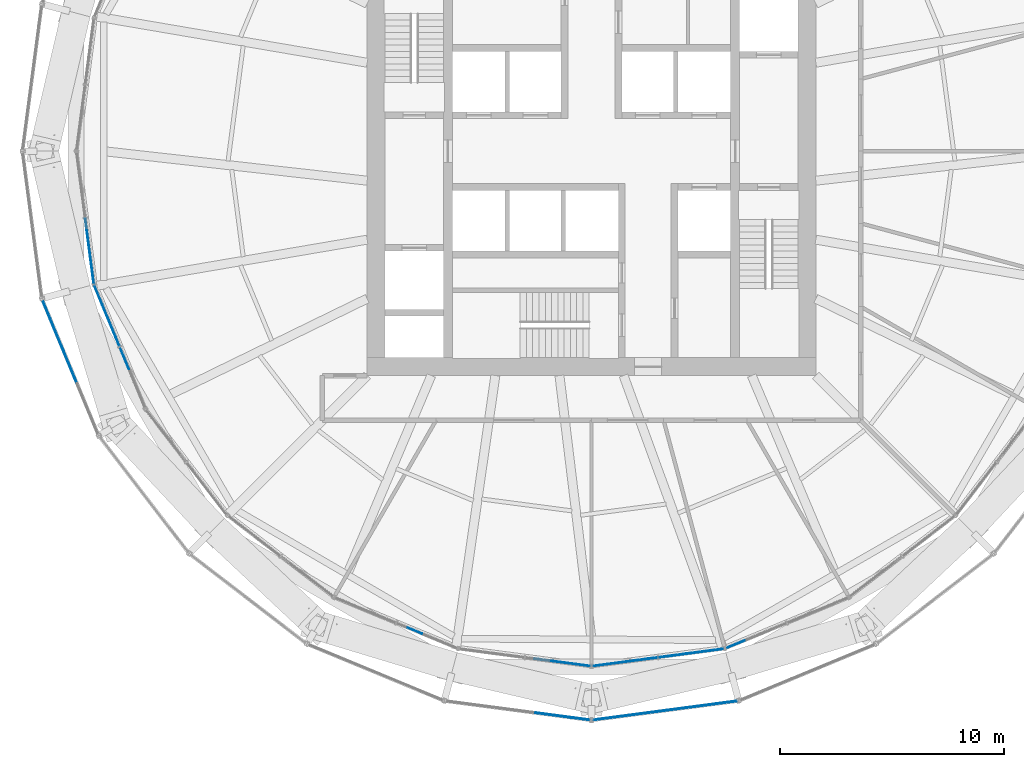
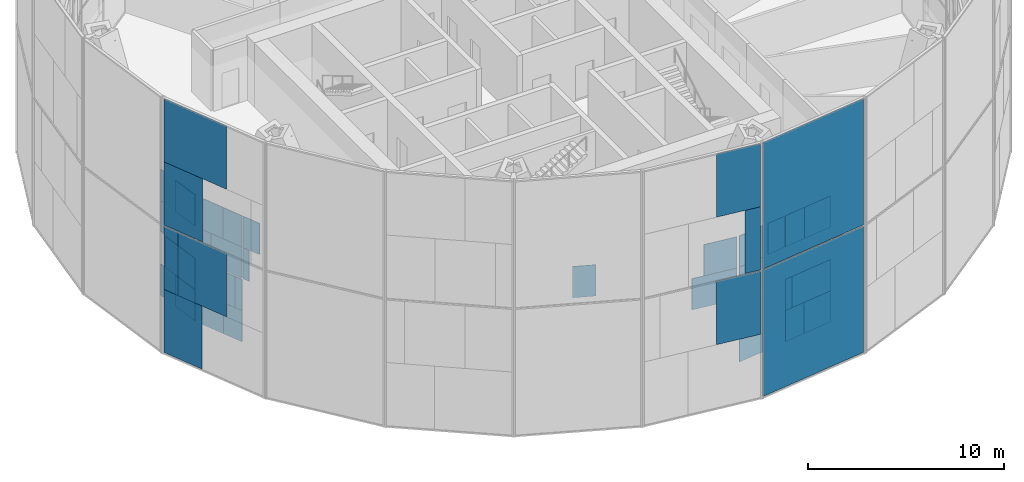
# One storey, part 11 of 22: 44 plates, 9 elements without a shape of their own.
"""IFC4 building model written with IfcOpenShell, lengths in metres."""

from ifc_helpers import new_model, si_unit, direction, frame, origin, origin_2d, place, context, subcontext, project, spatial, rectangle, extrude, material, layer, layer_set, type_object, element, aggregate, save


model = new_model("IFC4")

# Units and contexts
model_context = context("Model", 3, precision=1e-05, world=origin(), true_north=direction((0.0, 1.0)))
body_context = subcontext(model_context, "Body", "Model", "MODEL_VIEW")
ifc_project = project(units=[si_unit("LENGTHUNIT", "METRE"), si_unit("AREAUNIT", "SQUARE_METRE"), si_unit("VOLUMEUNIT", "CUBIC_METRE"), si_unit("PLANEANGLEUNIT", "RADIAN"), si_unit("MASSUNIT", "GRAM", prefix="KILO")], contexts=[model_context])

# Site, building, storey
site_placement = place(None, origin())
site = spatial("IfcSite", under=ifc_project, at=site_placement, CompositionType="ELEMENT")
building_placement = place(site_placement, origin())
building = spatial("IfcBuilding", under=site, at=building_placement, Name="Golbaran Civic Tower", CompositionType="ELEMENT")
storey_placement = place(building_placement, frame((0.0, 0.0, 37.0)))
storey = spatial("IfcBuildingStorey", under=building, at=storey_placement, Name="L08", CompositionType="ELEMENT", Elevation=37.0)

# Curtain wall, plates
ifc_material_1 = material(Name="Aluminium and glass", Category="aluminium")
curtain_wall_type_1 = type_object("IfcCurtainWallType", Name="INNER SKIN CURTAIN WALL", PredefinedType="NOTDEFINED", material=ifc_material_1)
curtain_wall_1_placement = place(storey_placement, origin())
curtain_wall_1 = element("IfcCurtainWall", 1, at=curtain_wall_1_placement, inside=storey, type_object=curtain_wall_type_1, Name="Inner skin L08 facet 13 CW1", ObjectType="INNER SKIN", PredefinedType="USERDEFINED")
ifc_material_2 = material(Name="Clear insulating glass", Category="glass")
ifc_layer_1 = layer(ifc_material_2, 0.031982421875, Name="Clear insulating glass")
ifc_layer_set_1 = layer_set([ifc_layer_1], Name="Clear insulating glass")
plate_type_1 = type_object("IfcPlateType", Name="INNER SKIN CURTAIN WALL GLAZED PANEL", PredefinedType="CURTAIN_PANEL", material=ifc_layer_set_1)
plate_1_placement = place(storey_placement, frame((-22.4873046875, -3.598388671875, 0.06494140625), z_axis=(0.0, 0.0, 1.0), x_axis=(0.130526192289, -0.991444861365, 0.0)))
plate_1 = element("IfcPlate", 2, at=plate_1_placement, type_object=plate_type_1, Name="CW1 panel 2.1 part 1", PredefinedType="CURTAIN_PANEL", context=body_context, shape_type="SweptSolid", body=[
    extrude(rectangle(XDim=1.199951171875, YDim=0.031982421875, at=origin_2d()), origin(), (0.0, 0.0, 1.0), 1.951171875),
])
plate_2_placement = place(storey_placement, frame((-22.245849609375, -5.432373046875, 4.032470703125), z_axis=(0.0, 0.0, 1.0), x_axis=(0.130526192289, -0.991444861365, 0.0)))
plate_2 = element("IfcPlate", 3, at=plate_2_placement, type_object=plate_type_1, Name="CW1 panel 2.2 part 2", PredefinedType="CURTAIN_PANEL", context=body_context, shape_type="SweptSolid", body=[
    extrude(rectangle(XDim=0.8994140625, YDim=0.031982421875, at=origin_2d()), origin(), (0.0, 0.0, 1.0), 1.951171875),
])
plate_3_placement = place(storey_placement, frame((-22.29638671875, -5.048095703125, 5.98388671875), z_axis=(0.0, 0.0, 1.0), x_axis=(0.130526192289, -0.991444861365, 0.0)))
plate_3 = element("IfcPlate", 4, at=plate_3_placement, type_object=plate_type_1, Name="CW1 panel 2.2 part 4", PredefinedType="CURTAIN_PANEL", context=body_context, shape_type="SweptSolid", body=[
    extrude(rectangle(XDim=1.674560546875, YDim=0.031982421875, at=origin_2d()), origin(), (0.0, 0.0, 1.0), 1.951171875),
])

curtain_wall_2_placement = place(storey_placement, origin())
curtain_wall_2 = element("IfcCurtainWall", 5, at=curtain_wall_2_placement, inside=storey, type_object=curtain_wall_type_1, Name="Inner skin L08 facet 14 CW1", ObjectType="INNER SKIN", PredefinedType="USERDEFINED")
plate_4_placement = place(storey_placement, frame((-21.273681640625, -8.12744140625, 0.06494140625), z_axis=(0.0, 0.0, 1.0), x_axis=(0.382683432365, -0.923879532511, 0.0)))
plate_4 = element("IfcPlate", 6, at=plate_4_placement, type_object=plate_type_1, Name="CW1 panel 1.1 part 2", PredefinedType="CURTAIN_PANEL", context=body_context, shape_type="SweptSolid", body=[
    extrude(rectangle(XDim=1.199462890625, YDim=0.031982421875, at=origin_2d()), origin(), (0.0, 0.0, 1.0), 1.951171875),
])
plate_5_placement = place(storey_placement, frame((-21.126953125, -8.481689453125, 2.016357421875), z_axis=(0.0, 0.0, 1.0), x_axis=(0.382683432365, -0.923879532511, 0.0)))
plate_5 = element("IfcPlate", 7, at=plate_5_placement, type_object=plate_type_1, Name="CW1 panel 1.1 part 4", PredefinedType="CURTAIN_PANEL", context=body_context, shape_type="SweptSolid", body=[
    extrude(rectangle(XDim=0.4326171875, YDim=0.031982421875, at=origin_2d()), origin(), (0.0, 0.0, 1.0), 1.951171875),
])
plate_6_placement = place(storey_placement, frame((-21.9814453125, -6.41845703125, 4.032470703125), z_axis=(0.0, 0.0, 1.0), x_axis=(0.382683432365, -0.923879532511, 0.0)))
plate_6 = element("IfcPlate", 8, at=plate_6_placement, type_object=plate_type_1, Name="CW1 panel 1.2 part 1", PredefinedType="CURTAIN_PANEL", context=body_context, shape_type="SweptSolid", body=[
    extrude(rectangle(XDim=0.89990234375, YDim=0.031982421875, at=origin_2d()), origin(), (0.0, 0.0, 1.0), 1.951171875),
])
plate_7_placement = place(storey_placement, frame((-21.833251953125, -6.776611328125, 5.98388671875), z_axis=(0.0, 0.0, 1.0), x_axis=(0.382683432365, -0.923879532511, 0.0)))
plate_7 = element("IfcPlate", 9, at=plate_7_placement, type_object=plate_type_1, Name="CW1 panel 1.2 part 3", PredefinedType="CURTAIN_PANEL", context=body_context, shape_type="SweptSolid", body=[
    extrude(rectangle(XDim=1.675048828125, YDim=0.031982421875, at=origin_2d()), origin(), (0.0, 0.0, 1.0), 1.951171875),
])

curtain_wall_3_placement = place(storey_placement, origin())
curtain_wall_3 = element("IfcCurtainWall", 10, at=curtain_wall_3_placement, inside=storey, type_object=curtain_wall_type_1, Name="Inner skin L08 facet 18 CW1", ObjectType="INNER SKIN", PredefinedType="USERDEFINED")
plate_8_placement = place(storey_placement, frame((-1.302978515625, -22.78955078125, 4.032470703125), z_axis=(0.0, 0.0, 1.0), x_axis=(0.991444861365, -0.130526192289, 0.0)))
plate_8 = element("IfcPlate", 11, at=plate_8_placement, type_object=plate_type_1, Name="CW1 panel 2.2 part 2", PredefinedType="CURTAIN_PANEL", context=body_context, shape_type="SweptSolid", body=[
    extrude(rectangle(XDim=2.49853515625, YDim=0.031982421875, at=origin_2d()), origin(), (0.0, 0.0, 1.0), 1.951171875),
])
plate_9_placement = place(storey_placement, frame((-0.974853515625, -22.832763671875, 5.98388671875), z_axis=(0.0, 0.0, 1.0), x_axis=(0.991444861365, -0.130526192289, 0.0)))
plate_9 = element("IfcPlate", 12, at=plate_9_placement, type_object=plate_type_1, Name="CW1 panel 2.2 part 4", PredefinedType="CURTAIN_PANEL", context=body_context, shape_type="SweptSolid", body=[
    extrude(rectangle(XDim=1.83642578125, YDim=0.031982421875, at=origin_2d()), origin(), (0.0, 0.0, 1.0), 1.951171875),
])
aggregate(curtain_wall_3, [plate_8, plate_9])

curtain_wall_4_placement = place(storey_placement, origin())
curtain_wall_4 = element("IfcCurtainWall", 13, at=curtain_wall_4_placement, inside=storey, type_object=curtain_wall_type_1, Name="Inner skin L08 facet 19 CW1", ObjectType="INNER SKIN", PredefinedType="USERDEFINED")
plate_10_placement = place(storey_placement, frame((1.501708984375, -22.76318359375, 0.06494140625), z_axis=(0.0, 0.0, 1.0), x_axis=(0.991444861365, 0.130526192289, 0.0)))
plate_10 = element("IfcPlate", 14, at=plate_10_placement, type_object=plate_type_1, Name="CW1 panel 1.1", PredefinedType="CURTAIN_PANEL", context=body_context, shape_type="SweptSolid", body=[
    extrude(rectangle(XDim=2.8994140625, YDim=0.031982421875, at=origin_2d()), origin(), (0.0, 0.0, 1.0), 3.902587890625),
])
plate_11_placement = place(storey_placement, frame((1.302734375, -22.78955078125, 4.032470703125), z_axis=(0.0, 0.0, 1.0), x_axis=(0.991444861365, 0.130526192289, 0.0)))
plate_11 = element("IfcPlate", 15, at=plate_11_placement, type_object=plate_type_1, Name="CW1 panel 1.2 part 1", PredefinedType="CURTAIN_PANEL", context=body_context, shape_type="SweptSolid", body=[
    extrude(rectangle(XDim=2.498046875, YDim=0.031982421875, at=origin_2d()), origin(), (0.0, 0.0, 1.0), 1.951171875),
])
plate_12_placement = place(storey_placement, frame((0.97509765625, -22.83251953125, 5.98388671875), z_axis=(0.0, 0.0, 1.0), x_axis=(0.991444861365, 0.130526192289, 0.0)))
plate_12 = element("IfcPlate", 16, at=plate_12_placement, type_object=plate_type_1, Name="CW1 panel 1.2 part 3", PredefinedType="CURTAIN_PANEL", context=body_context, shape_type="SweptSolid", body=[
    extrude(rectangle(XDim=1.8369140625, YDim=0.031982421875, at=origin_2d()), origin(), (0.0, 0.0, 1.0), 1.951171875),
])
plate_13_placement = place(storey_placement, frame((3.598388671875, -22.4873046875, 0.06494140625), z_axis=(0.0, 0.0, 1.0), x_axis=(0.991444861365, 0.130526192289, 0.0)))
plate_13 = element("IfcPlate", 17, at=plate_13_placement, type_object=plate_type_1, Name="CW1 panel 2.1 part 1", PredefinedType="CURTAIN_PANEL", context=body_context, shape_type="SweptSolid", body=[
    extrude(rectangle(XDim=1.199951171875, YDim=0.031982421875, at=origin_2d()), origin(), (0.0, 0.0, 1.0), 1.951171875),
])
plate_14_placement = place(storey_placement, frame((3.2177734375, -22.537353515625, 2.016357421875), z_axis=(0.0, 0.0, 1.0), x_axis=(0.991444861365, 0.130526192289, 0.0)))
plate_14 = element("IfcPlate", 18, at=plate_14_placement, type_object=plate_type_1, Name="CW1 panel 2.1 part 3", PredefinedType="CURTAIN_PANEL", context=body_context, shape_type="SweptSolid", body=[
    extrude(rectangle(XDim=0.431884765625, YDim=0.031982421875, at=origin_2d()), origin(), (0.0, 0.0, 1.0), 1.951171875),
])
plate_15_placement = place(storey_placement, frame((5.432373046875, -22.245849609375, 4.032470703125), z_axis=(0.0, 0.0, 1.0), x_axis=(0.991444861365, 0.130526192289, 0.0)))
plate_15 = element("IfcPlate", 19, at=plate_15_placement, type_object=plate_type_1, Name="CW1 panel 2.2 part 2", PredefinedType="CURTAIN_PANEL", context=body_context, shape_type="SweptSolid", body=[
    extrude(rectangle(XDim=0.8994140625, YDim=0.031982421875, at=origin_2d()), origin(), (0.0, 0.0, 1.0), 1.951171875),
])
plate_16_placement = place(storey_placement, frame((5.048095703125, -22.29638671875, 5.98388671875), z_axis=(0.0, 0.0, 1.0), x_axis=(0.991444861365, 0.130526192289, 0.0)))
plate_16 = element("IfcPlate", 20, at=plate_16_placement, type_object=plate_type_1, Name="CW1 panel 2.2 part 4", PredefinedType="CURTAIN_PANEL", context=body_context, shape_type="SweptSolid", body=[
    extrude(rectangle(XDim=1.674560546875, YDim=0.031982421875, at=origin_2d()), origin(), (0.0, 0.0, 1.0), 1.951171875),
])

# Curtain wall, plate
curtain_wall_5_placement = place(storey_placement, origin())
curtain_wall_5 = element("IfcCurtainWall", 21, at=curtain_wall_5_placement, inside=storey, type_object=curtain_wall_type_1, Name="Inner skin L08 facet 20 CW1", ObjectType="INNER SKIN", PredefinedType="USERDEFINED")
plate_17_placement = place(storey_placement, frame((6.41845703125, -21.9814453125, 4.032470703125), z_axis=(0.0, 0.0, 1.0), x_axis=(0.923879532511, 0.382683432365, 0.0)))
plate_17 = element("IfcPlate", 22, at=plate_17_placement, type_object=plate_type_1, Name="CW1 panel 1.2 part 1", PredefinedType="CURTAIN_PANEL", context=body_context, shape_type="SweptSolid", body=[
    extrude(rectangle(XDim=0.89990234375, YDim=0.031982421875, at=origin_2d()), origin(), (0.0, 0.0, 1.0), 1.951171875),
])
aggregate(curtain_wall_5, [plate_17])

# Plate
ifc_material_3 = material(Name="Aluminium faced opaque infill panel", Category="aluminium")
ifc_layer_2 = layer(ifc_material_3, 0.031982421875, Name="Aluminium faced opaque infill panel")
ifc_layer_set_2 = layer_set([ifc_layer_2], Name="Aluminium faced opaque infill panel")
plate_type_2 = type_object("IfcPlateType", Name="INNER SKIN CURTAIN WALL OPAQUE INFILL PANEL", PredefinedType="CURTAIN_PANEL", material=ifc_layer_set_2)
plate_18_placement = place(storey_placement, frame((-22.298095703125, -5.035888671875, 0.06494140625), z_axis=(0.0, 0.0, 1.0), x_axis=(0.130526192289, -0.991444861365, 0.0)))
plate_18 = element("IfcPlate", 23, at=plate_18_placement, type_object=plate_type_2, Name="CW1 infill panel 2.1 part 2", PredefinedType="CURTAIN_PANEL", context=body_context, shape_type="SweptSolid", body=[
    extrude(rectangle(XDim=1.699462890625, YDim=0.031982421875, at=origin_2d()), origin(), (0.0, 0.0, 1.0), 1.951171875),
])

plate_19_placement = place(storey_placement, frame((-22.34814453125, -4.655029296875, 2.016357421875), z_axis=(0.0, 0.0, 1.0), x_axis=(0.130526192289, -0.991444861365, 0.0)))
plate_19 = element("IfcPlate", 24, at=plate_19_placement, type_object=plate_type_2, Name="CW1 infill panel 2.1 part 4", PredefinedType="CURTAIN_PANEL", context=body_context, shape_type="SweptSolid", body=[
    extrude(rectangle(XDim=2.467529296875, YDim=0.031982421875, at=origin_2d()), origin(), (0.0, 0.0, 1.0), 1.951171875),
])

plate_20_placement = place(storey_placement, frame((-22.43505859375, -3.9951171875, 4.032470703125), z_axis=(0.0, 0.0, 1.0), x_axis=(0.130526192289, -0.991444861365, 0.0)))
plate_20 = element("IfcPlate", 25, at=plate_20_placement, type_object=plate_type_2, Name="CW1 infill panel 2.2 part 1", PredefinedType="CURTAIN_PANEL", context=body_context, shape_type="SweptSolid", body=[
    extrude(rectangle(XDim=2.0, YDim=0.031982421875, at=origin_2d()), origin(), (0.0, 0.0, 1.0), 1.951171875),
])

plate_21_placement = place(storey_placement, frame((-22.485595703125, -3.61083984375, 5.98388671875), z_axis=(0.0, 0.0, 1.0), x_axis=(0.130526192289, -0.991444861365, 0.0)))
plate_21 = element("IfcPlate", 26, at=plate_21_placement, type_object=plate_type_2, Name="CW1 infill panel 2.2 part 3", PredefinedType="CURTAIN_PANEL", context=body_context, shape_type="SweptSolid", body=[
    extrude(rectangle(XDim=1.22509765625, YDim=0.031982421875, at=origin_2d()), origin(), (0.0, 0.0, 1.0), 1.951171875),
])

aggregate(curtain_wall_1, [plate_1, plate_18, plate_19, plate_20, plate_2, plate_21, plate_3])

plate_22_placement = place(storey_placement, frame((-21.828369140625, -6.7880859375, 0.06494140625), z_axis=(0.0, 0.0, 1.0), x_axis=(0.382683432365, -0.923879532511, 0.0)))
plate_22 = element("IfcPlate", 27, at=plate_22_placement, type_object=plate_type_2, Name="CW1 infill panel 1.1 part 1", PredefinedType="CURTAIN_PANEL", context=body_context, shape_type="SweptSolid", body=[
    extrude(rectangle(XDim=1.699951171875, YDim=0.031982421875, at=origin_2d()), origin(), (0.0, 0.0, 1.0), 1.951171875),
])

plate_23_placement = place(storey_placement, frame((-21.681640625, -7.142333984375, 2.016357421875), z_axis=(0.0, 0.0, 1.0), x_axis=(0.382683432365, -0.923879532511, 0.0)))
plate_23 = element("IfcPlate", 28, at=plate_23_placement, type_object=plate_type_2, Name="CW1 infill panel 1.1 part 3", PredefinedType="CURTAIN_PANEL", context=body_context, shape_type="SweptSolid", body=[
    extrude(rectangle(XDim=2.467041015625, YDim=0.031982421875, at=origin_2d()), origin(), (0.0, 0.0, 1.0), 1.951171875),
])

plate_24_placement = place(storey_placement, frame((-21.4267578125, -7.758056640625, 4.032470703125), z_axis=(0.0, 0.0, 1.0), x_axis=(0.382683432365, -0.923879532511, 0.0)))
plate_24 = element("IfcPlate", 29, at=plate_24_placement, type_object=plate_type_2, Name="CW1 infill panel 1.2 part 2", PredefinedType="CURTAIN_PANEL", context=body_context, shape_type="SweptSolid", body=[
    extrude(rectangle(XDim=1.99951171875, YDim=0.031982421875, at=origin_2d()), origin(), (0.0, 0.0, 1.0), 1.951171875),
])

plate_25_placement = place(storey_placement, frame((-21.278564453125, -8.115966796875, 5.98388671875), z_axis=(0.0, 0.0, 1.0), x_axis=(0.382683432365, -0.923879532511, 0.0)))
plate_25 = element("IfcPlate", 30, at=plate_25_placement, type_object=plate_type_2, Name="CW1 infill panel 1.2 part 4", PredefinedType="CURTAIN_PANEL", context=body_context, shape_type="SweptSolid", body=[
    extrude(rectangle(XDim=1.224609375, YDim=0.031982421875, at=origin_2d()), origin(), (0.0, 0.0, 1.0), 1.951171875),
])

plate_26_placement = place(storey_placement, frame((-20.942626953125, -8.927001953125, 4.032470703125), z_axis=(0.0, 0.0, 1.0), x_axis=(0.382683432365, -0.923879532511, 0.0)))
plate_26 = element("IfcPlate", 31, at=plate_26_placement, type_object=plate_type_2, Name="CW1 infill panel 2.2 part 1", PredefinedType="CURTAIN_PANEL", context=body_context, shape_type="SweptSolid", body=[
    extrude(rectangle(XDim=0.40087890625, YDim=0.031982421875, at=origin_2d()), origin(), (0.0, 0.0, 1.0), 1.951171875),
])

plate_27_placement = place(storey_placement, frame((-20.81591796875, -9.232666015625, 5.98388671875), z_axis=(0.0, 0.0, 1.0), x_axis=(0.382683432365, -0.923879532511, 0.0)))
plate_27 = element("IfcPlate", 32, at=plate_27_placement, type_object=plate_type_2, Name="CW1 infill panel 2.2 part 3", PredefinedType="CURTAIN_PANEL", context=body_context, shape_type="SweptSolid", body=[
    extrude(rectangle(XDim=1.06298828125, YDim=0.031982421875, at=origin_2d()), origin(), (0.0, 0.0, 1.0), 1.951171875),
])

aggregate(curtain_wall_2, [plate_22, plate_4, plate_23, plate_5, plate_6, plate_24, plate_7, plate_25, plate_26, plate_27])

# Curtain wall, plate
curtain_wall_6_placement = place(storey_placement, origin())
curtain_wall_6 = element("IfcCurtainWall", 33, at=curtain_wall_6_placement, inside=storey, type_object=curtain_wall_type_1, Name="Inner skin L08 facet 17 CW1", ObjectType="INNER SKIN", PredefinedType="USERDEFINED")
plate_28_placement = place(storey_placement, frame((-8.11572265625, -21.278564453125, 5.98388671875), z_axis=(0.0, 0.0, 1.0), x_axis=(0.923879532511, -0.382683432365, 0.0)))
plate_28 = element("IfcPlate", 34, at=plate_28_placement, type_object=plate_type_2, Name="CW1 infill panel 2.2 part 3", PredefinedType="CURTAIN_PANEL", context=body_context, shape_type="SweptSolid", body=[
    extrude(rectangle(XDim=1.22509765625, YDim=0.031982421875, at=origin_2d()), origin(), (0.0, 0.0, 1.0), 1.951171875),
])
aggregate(curtain_wall_6, [plate_28])

# Plate
plate_29_placement = place(storey_placement, frame((2.739990234375, -22.600341796875, 4.032470703125), z_axis=(0.0, 0.0, 1.0), x_axis=(0.991444861365, 0.130526192289, 0.0)))
plate_29 = element("IfcPlate", 35, at=plate_29_placement, type_object=plate_type_2, Name="CW1 infill panel 1.2 part 2", PredefinedType="CURTAIN_PANEL", context=body_context, shape_type="SweptSolid", body=[
    extrude(rectangle(XDim=0.401611328125, YDim=0.031982421875, at=origin_2d()), origin(), (0.0, 0.0, 1.0), 1.951171875),
])

plate_30_placement = place(storey_placement, frame((2.412353515625, -22.643310546875, 5.98388671875), z_axis=(0.0, 0.0, 1.0), x_axis=(0.991444861365, 0.130526192289, 0.0)))
plate_30 = element("IfcPlate", 36, at=plate_30_placement, type_object=plate_type_2, Name="CW1 infill panel 1.2 part 4", PredefinedType="CURTAIN_PANEL", context=body_context, shape_type="SweptSolid", body=[
    extrude(rectangle(XDim=1.0625, YDim=0.031982421875, at=origin_2d()), origin(), (0.0, 0.0, 1.0), 1.951171875),
])

plate_31_placement = place(storey_placement, frame((5.035888671875, -22.298095703125, 0.06494140625), z_axis=(0.0, 0.0, 1.0), x_axis=(0.991444861365, 0.130526192289, 0.0)))
plate_31 = element("IfcPlate", 37, at=plate_31_placement, type_object=plate_type_2, Name="CW1 infill panel 2.1 part 2", PredefinedType="CURTAIN_PANEL", context=body_context, shape_type="SweptSolid", body=[
    extrude(rectangle(XDim=1.699462890625, YDim=0.031982421875, at=origin_2d()), origin(), (0.0, 0.0, 1.0), 1.951171875),
])

plate_32_placement = place(storey_placement, frame((4.655029296875, -22.34814453125, 2.016357421875), z_axis=(0.0, 0.0, 1.0), x_axis=(0.991444861365, 0.130526192289, 0.0)))
plate_32 = element("IfcPlate", 38, at=plate_32_placement, type_object=plate_type_2, Name="CW1 infill panel 2.1 part 4", PredefinedType="CURTAIN_PANEL", context=body_context, shape_type="SweptSolid", body=[
    extrude(rectangle(XDim=2.467529296875, YDim=0.031982421875, at=origin_2d()), origin(), (0.0, 0.0, 1.0), 1.951171875),
])

plate_33_placement = place(storey_placement, frame((3.9951171875, -22.43505859375, 4.032470703125), z_axis=(0.0, 0.0, 1.0), x_axis=(0.991444861365, 0.130526192289, 0.0)))
plate_33 = element("IfcPlate", 39, at=plate_33_placement, type_object=plate_type_2, Name="CW1 infill panel 2.2 part 1", PredefinedType="CURTAIN_PANEL", context=body_context, shape_type="SweptSolid", body=[
    extrude(rectangle(XDim=2.0, YDim=0.031982421875, at=origin_2d()), origin(), (0.0, 0.0, 1.0), 1.951171875),
])

plate_34_placement = place(storey_placement, frame((3.61083984375, -22.485595703125, 5.98388671875), z_axis=(0.0, 0.0, 1.0), x_axis=(0.991444861365, 0.130526192289, 0.0)))
plate_34 = element("IfcPlate", 40, at=plate_34_placement, type_object=plate_type_2, Name="CW1 infill panel 2.2 part 3", PredefinedType="CURTAIN_PANEL", context=body_context, shape_type="SweptSolid", body=[
    extrude(rectangle(XDim=1.22509765625, YDim=0.031982421875, at=origin_2d()), origin(), (0.0, 0.0, 1.0), 1.951171875),
])

aggregate(curtain_wall_4, [plate_10, plate_11, plate_29, plate_12, plate_30, plate_13, plate_31, plate_14, plate_32, plate_33, plate_15, plate_34, plate_16])

# Curtain wall, plates
curtain_wall_type_2 = type_object("IfcCurtainWallType", Name="OUTER SKIN TERRACOTTA SCREEN", PredefinedType="NOTDEFINED", material=ifc_material_1)
curtain_wall_7_placement = place(storey_placement, origin())
curtain_wall_7 = element("IfcCurtainWall", 41, at=curtain_wall_7_placement, inside=storey, type_object=curtain_wall_type_2, Name="Outer skin L08 facet 14 CW3", ObjectType="OUTER SKIN", PredefinedType="USERDEFINED")
ifc_material_4 = material(Name="Clear laminated glass", Category="glass")
ifc_layer_3 = layer(ifc_material_4, 0.0400390625, Name="Clear laminated glass")
ifc_layer_set_3 = layer_set([ifc_layer_3], Name="Clear laminated glass")
plate_type_3 = type_object("IfcPlateType", Name="OUTER SKIN CLEAR GLASS PANEL", PredefinedType="CURTAIN_PANEL", material=ifc_layer_set_3)
plate_35_placement = place(storey_placement, frame((-24.297607421875, -7.05810546875, 3.31005859375), z_axis=(0.0, 0.0, 1.0), x_axis=(0.382683432462, -0.923879532471, 0.0)))
plate_35 = element("IfcPlate", 42, at=plate_35_placement, type_object=plate_type_3, Name="CW3 panel 1.1 part 3", PredefinedType="CURTAIN_PANEL", context=body_context, shape_type="SweptSolid", body=[
    extrude(rectangle(XDim=0.906982421875, YDim=0.0400390625, at=origin_2d()), origin(), (0.0, 0.0, 1.0), 3.93994140625),
])
plate_36_placement = place(storey_placement, frame((-23.9951171875, -7.788330078125, 7.330078125), z_axis=(0.0, 0.0, 1.0), x_axis=(0.382683432462, -0.923879532471, 0.0)))
plate_36 = element("IfcPlate", 43, at=plate_36_placement, type_object=plate_type_3, Name="CW3 panel 1.2 part 1", PredefinedType="CURTAIN_PANEL", context=body_context, shape_type="SweptSolid", body=[
    extrude(rectangle(XDim=2.488037109375, YDim=0.0400390625, at=origin_2d()), origin(), (0.0, 0.0, 1.0), 3.93994140625),
])
plate_37_placement = place(storey_placement, frame((-23.69873046875, -8.50390625, 11.27001953125), z_axis=(0.0, 0.0, 1.0), x_axis=(0.382683432462, -0.923879532471, 0.0)))
plate_37 = element("IfcPlate", 44, at=plate_37_placement, type_object=plate_type_3, Name="CW3 panel 1.2 part 4", PredefinedType="CURTAIN_PANEL", context=body_context, shape_type="SweptSolid", body=[
    extrude(rectangle(XDim=4.037109375, YDim=0.0400390625, at=origin_2d()), origin(), (0.0, 0.0, 1.0), 3.93994140625),
])

curtain_wall_8_placement = place(storey_placement, origin())
curtain_wall_8 = element("IfcCurtainWall", 45, at=curtain_wall_8_placement, inside=storey, type_object=curtain_wall_type_2, Name="Outer skin L08 facet 18 CW3", ObjectType="OUTER SKIN", PredefinedType="USERDEFINED")
plate_38_placement = place(storey_placement, frame((-1.288330078125, -25.1962890625, 3.31005859375), z_axis=(0.0, 0.0, 1.0), x_axis=(0.991444861381, -0.130526192168, 0.0)))
plate_38 = element("IfcPlate", 46, at=plate_38_placement, type_object=plate_type_3, Name="CW3 panel 1.1 part 5", PredefinedType="CURTAIN_PANEL", context=body_context, shape_type="SweptSolid", body=[
    extrude(rectangle(XDim=2.43896484375, YDim=0.0400390625, at=origin_2d()), origin(), (0.0, 0.0, 1.0), 3.93994140625),
])
plate_39_placement = place(storey_placement, frame((-0.49658203125, -25.300537109375, 7.330078125), z_axis=(0.0, 0.0, 1.0), x_axis=(0.991444861381, -0.130526192168, 0.0)))
plate_39 = element("IfcPlate", 47, at=plate_39_placement, type_object=plate_type_3, Name="CW3 panel 1.2 part 3", PredefinedType="CURTAIN_PANEL", context=body_context, shape_type="SweptSolid", body=[
    extrude(rectangle(XDim=0.841796875, YDim=0.0400390625, at=origin_2d()), origin(), (0.0, 0.0, 1.0), 3.93994140625),
])

# Plate
ifc_material_5 = material(Name="Terracotta baguette screen", Category="masonry")
ifc_layer_4 = layer(ifc_material_5, 0.0400390625, Name="Terracotta baguette screen")
ifc_layer_set_4 = layer_set([ifc_layer_4], Name="Terracotta baguette screen")
plate_type_4 = type_object("IfcPlateType", Name="OUTER SKIN TERRACOTTA INFILL PANEL", PredefinedType="CURTAIN_PANEL", material=ifc_layer_set_4)
plate_40_placement = place(storey_placement, frame((-24.00048828125, -7.77490234375, -0.6298828125), z_axis=(0.0, 0.0, 1.0), x_axis=(0.382683432462, -0.923879532471, 0.0)))
plate_40 = element("IfcPlate", 48, at=plate_40_placement, type_object=plate_type_4, Name="CW3 infill panel 1.1 part 1", PredefinedType="CURTAIN_PANEL", context=body_context, shape_type="SweptSolid", body=[
    extrude(rectangle(XDim=2.458984375, YDim=0.0400390625, at=origin_2d()), origin(), (0.0, 0.0, 1.0), 3.93994140625),
])

plate_41_placement = place(storey_placement, frame((-23.52783203125, -8.91650390625, 3.31005859375), z_axis=(0.0, 0.0, 1.0), x_axis=(0.382683432462, -0.923879532471, 0.0)))
plate_41 = element("IfcPlate", 49, at=plate_41_placement, type_object=plate_type_4, Name="CW3 infill panel 1.1 part 4", PredefinedType="CURTAIN_PANEL", context=body_context, shape_type="SweptSolid", body=[
    extrude(rectangle(XDim=3.115966796875, YDim=0.0400390625, at=origin_2d()), origin(), (0.0, 0.0, 1.0), 3.93994140625),
])

aggregate(curtain_wall_7, [plate_40, plate_35, plate_41, plate_36, plate_37])

plate_42_placement = place(storey_placement, frame((-1.28125, -25.197265625, 11.27001953125), z_axis=(0.0, 0.0, 1.0), x_axis=(0.991444861381, -0.130526192168, 0.0)))
plate_42 = element("IfcPlate", 50, at=plate_42_placement, type_object=plate_type_4, Name="CW3 infill panel 1.2 part 5", PredefinedType="CURTAIN_PANEL", context=body_context, shape_type="SweptSolid", body=[
    extrude(rectangle(XDim=2.4248046875, YDim=0.0400390625, at=origin_2d()), origin(), (0.0, 0.0, 1.0), 3.93994140625),
])

aggregate(curtain_wall_8, [plate_38, plate_39, plate_42])

# Curtain wall, plates
curtain_wall_9_placement = place(storey_placement, origin())
curtain_wall_9 = element("IfcCurtainWall", 51, at=curtain_wall_9_placement, inside=storey, type_object=curtain_wall_type_2, Name="Outer skin L08 facet 19 CW3", ObjectType="OUTER SKIN", PredefinedType="USERDEFINED")
ifc_layer_5 = layer(ifc_material_5, 0.0400390625, Name="Terracotta baguette screen")
ifc_layer_set_5 = layer_set([ifc_layer_5], Name="Terracotta baguette screen")
plate_type_5 = type_object("IfcPlateType", Name="OUTER SKIN TERRACOTTA SCREEN PANEL", PredefinedType="CURTAIN_PANEL", material=ifc_layer_set_5)
plate_43_placement = place(storey_placement, frame((3.28271484375, -24.933837890625, -0.6298828125), z_axis=(0.0, 0.0, 1.0), x_axis=(0.991444861381, 0.130526192168, 0.0)))
plate_43 = element("IfcPlate", 52, at=plate_43_placement, type_object=plate_type_5, Name="CW3 terracotta screen panel 1.1", PredefinedType="CURTAIN_PANEL", context=body_context, shape_type="SweptSolid", body=[
    extrude(rectangle(XDim=6.4619140625, YDim=0.0400390625, at=origin_2d()), origin(), (0.0, 0.0, 1.0), 7.8798828125),
])
plate_44_placement = place(storey_placement, frame((3.28271484375, -24.933837890625, 7.330078125), z_axis=(0.0, 0.0, 1.0), x_axis=(0.991444861381, 0.130526192168, 0.0)))
plate_44 = element("IfcPlate", 53, at=plate_44_placement, type_object=plate_type_5, Name="CW3 terracotta screen panel 1.2", PredefinedType="CURTAIN_PANEL", context=body_context, shape_type="SweptSolid", body=[
    extrude(rectangle(XDim=6.4619140625, YDim=0.0400390625, at=origin_2d()), origin(), (0.0, 0.0, 1.0), 7.8798828125),
])
aggregate(curtain_wall_9, [plate_43, plate_44])

save(model, "model.ifc")
